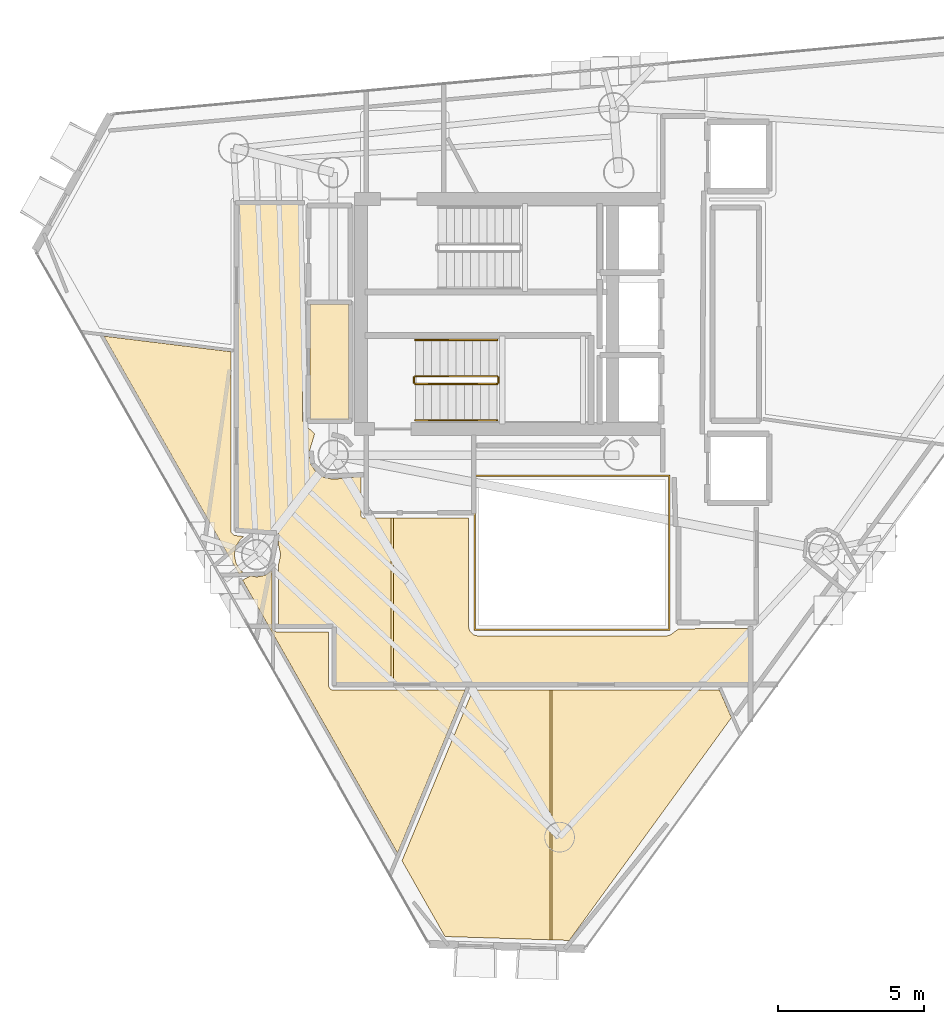
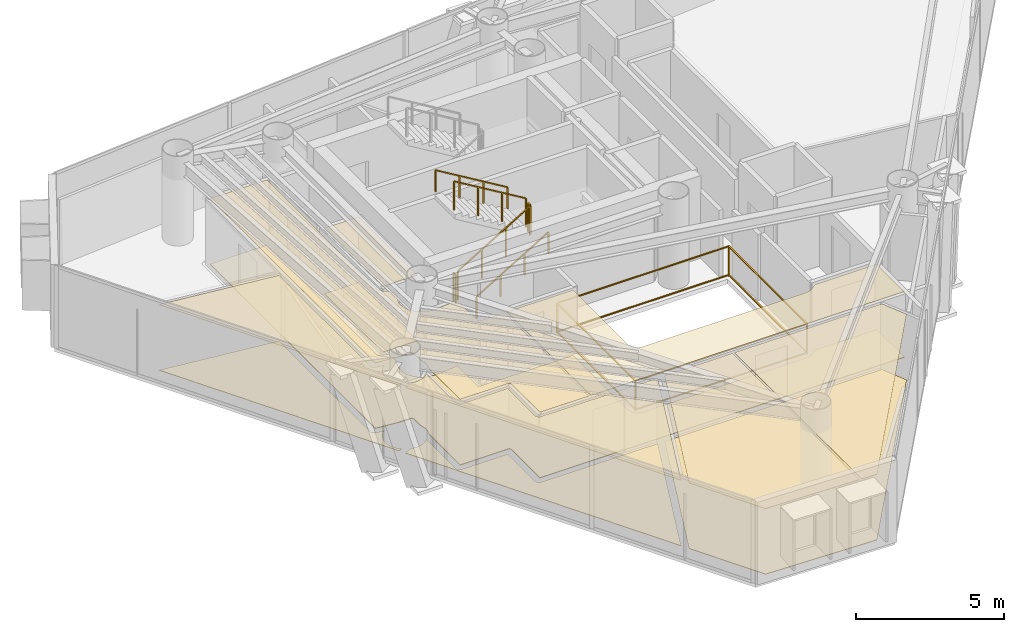
# One storey, part 20 of 21: 12 coverings, 7 railings.
"""IFC4 building model written with IfcOpenShell, lengths in metres."""

import ifcopenshell
import ifcopenshell.guid

model = None  # the IFC model being written
_history = None  # IfcOwnerHistory: only IFC2X3 demands one
_inside = {}  # id of a spatial element -> (the spatial element, [elements in it])
_under = {}  # id of a project, library or spatial element -> (it, [spatial elements below it])
_declared = {}  # id of a project -> (the project, [libraries it declares])
_typed = {}  # id of a type object -> (the type object, [elements of that type])
_made_of = {}  # id of a material, layer set ... -> (it, [elements and type objects made of it])


def new_model(schema):
    """Start an empty IFC model of exactly this schema.

    Asked for "IFC4X3", IfcOpenShell would pick the latest addendum, in which some entities
    have other attributes; the version numbers below select the first issue.
    IFC2X3 requires an IfcOwnerHistory on every rooted entity: one is made here for all.
    """
    global model, _history
    if schema == "IFC4X3":
        model = ifcopenshell.file(schema_version=(4, 3, 0, 0))
    else:
        model = ifcopenshell.file(schema=schema)
    _inside.clear()
    _under.clear()
    _declared.clear()
    _typed.clear()
    _made_of.clear()
    _history = None
    if model.schema == "IFC2X3":
        org = make("IfcOrganization", Name="unknown")
        user = make(
            "IfcPersonAndOrganization",
            ThePerson=make("IfcPerson", FamilyName="unknown"),
            TheOrganization=org,
        )
        app = make(
            "IfcApplication",
            ApplicationDeveloper=org,
            Version="unknown",
            ApplicationFullName="unknown",
            ApplicationIdentifier="unknown",
        )
        _history = make(
            "IfcOwnerHistory",
            OwningUser=user,
            OwningApplication=app,
            ChangeAction="ADDED",
            CreationDate=0,
        )
    return model


def make(cls, **values):
    """One entity of the class cls with the attributes given. An attribute that is None is left unset."""
    return model.create_entity(
        cls, **{name: value for name, value in values.items() if value is not None}
    )


def rooted(cls, **values):
    """An entity with a GlobalId (a new one), such as an element, a storey or a relation."""
    return make(cls, GlobalId=ifcopenshell.guid.new(), OwnerHistory=_history, **values)


def si_unit(unit_type, name, prefix=None):
    """IfcSIUnit, for example si_unit("LENGTHUNIT", "METRE", prefix="MILLI")."""
    return make("IfcSIUnit", UnitType=unit_type, Prefix=prefix, Name=name)


def assignment(units):
    """IfcUnitAssignment: the units of a project."""
    return None if units is None else make("IfcUnitAssignment", Units=units)


def point(xyz):
    """IfcCartesianPoint."""
    return None if xyz is None else make("IfcCartesianPoint", Coordinates=xyz)


def direction(xyz):
    """IfcDirection."""
    return None if xyz is None else make("IfcDirection", DirectionRatios=xyz)


def frame(location, z_axis=None, x_axis=None):
    """IfcAxis2Placement3D, a coordinate frame: its origin and axes. An axis left out is left unset."""
    return make(
        "IfcAxis2Placement3D",
        Location=point(location),
        Axis=direction(z_axis),
        RefDirection=direction(x_axis),
    )


def frame_2d(location, x_axis=None):
    """IfcAxis2Placement2D, a coordinate frame in the plane: its origin and x axis."""
    return make(
        "IfcAxis2Placement2D", Location=point(location), RefDirection=direction(x_axis)
    )


def origin():
    """The frame at (0, 0, 0) with its axes left unset."""
    return frame((0.0, 0.0, 0.0))


def origin_2d():
    """The frame at (0, 0) in the plane with its x axis left unset."""
    return frame_2d((0.0, 0.0))


def place(relative_to, where):
    """IfcLocalPlacement: puts the frame where relative to a parent placement (None: the world)."""
    return make(
        "IfcLocalPlacement", PlacementRelTo=relative_to, RelativePlacement=where
    )


def context(
    kind, dimensions, precision=None, world=None, true_north=None, identifier=None
):
    """IfcGeometricRepresentationContext, for example the 3D "Model" context."""
    return make(
        "IfcGeometricRepresentationContext",
        ContextIdentifier=identifier,
        ContextType=kind,
        CoordinateSpaceDimension=dimensions,
        Precision=precision,
        WorldCoordinateSystem=world,
        TrueNorth=true_north,
    )


def subcontext(parent, identifier, kind, view, scale=None):
    """IfcGeometricRepresentationSubContext, for example "Body" below "Model"."""
    return make(
        "IfcGeometricRepresentationSubContext",
        ContextIdentifier=identifier,
        ContextType=kind,
        ParentContext=parent,
        TargetScale=scale,
        TargetView=view,
    )


def project(units=None, contexts=None):
    """IfcProject with its units and contexts."""
    return rooted(
        "IfcProject",
        Name="project",
        RepresentationContexts=contexts,
        UnitsInContext=assignment(units),
    )


def spatial(cls, under=None, at=None, **own):
    """A site, building, storey or space (cls), placed at a placement, below another one or the project."""
    s = rooted(cls, ObjectPlacement=at, **own)
    if under is not None:
        _under.setdefault(under.id(), (under, []))[1].append(s)
    return s


def polyline(points):
    """IfcPolyline through the points."""
    return make("IfcPolyline", Points=[point(p) for p in points])


def profile(cls, at=None, kind="AREA", **sizes):
    """A parametric profile (cls). Its sizes go by their IFC names, for example OverallWidth=200.0."""
    return make(cls, ProfileType=kind, Position=at, **sizes)


def rectangle(**sizes):
    """IfcRectangleProfileDef."""
    return profile("IfcRectangleProfileDef", **sizes)


def outline(outer, holes=None, kind="AREA"):
    """IfcArbitraryClosedProfileDef: a profile drawn as a closed curve; with holes, ...WithVoids."""
    if holes is None:
        return make("IfcArbitraryClosedProfileDef", ProfileType=kind, OuterCurve=outer)
    return make(
        "IfcArbitraryProfileDefWithVoids",
        ProfileType=kind,
        OuterCurve=outer,
        InnerCurves=holes,
    )


def extrude(swept, where, along, depth):
    """IfcExtrudedAreaSolid: the profile swept, set in the frame where, extruded along a direction by depth."""
    return make(
        "IfcExtrudedAreaSolid",
        SweptArea=swept,
        Position=where,
        ExtrudedDirection=direction(along),
        Depth=depth,
    )


def shape(context_of_items, identifier, shape_type, items):
    """IfcShapeRepresentation: the items that make up one representation, for example the "Body"."""
    return make(
        "IfcShapeRepresentation",
        ContextOfItems=context_of_items,
        RepresentationIdentifier=identifier,
        RepresentationType=shape_type,
        Items=items,
    )


def material(Name=None, Category=None):
    """IfcMaterial."""
    return make("IfcMaterial", Name=Name, Category=Category)


def layer(
    of_material, thickness, ventilated=None, Name=None, Category=None, Priority=None
):
    """IfcMaterialLayer: one layer of a wall or slab, of a material (None: an air gap)."""
    return make(
        "IfcMaterialLayer",
        Material=of_material,
        LayerThickness=thickness,
        IsVentilated=ventilated,
        Name=Name,
        Category=Category,
        Priority=Priority,
    )


def layer_set(layers, Name=None):
    """IfcMaterialLayerSet."""
    return make("IfcMaterialLayerSet", MaterialLayers=layers, LayerSetName=Name)


def made_of(thing, what):
    """Note that an element or type object is made of a material, layer set ...; save() writes the relation."""
    if what is not None:
        _made_of.setdefault(what.id(), (what, []))[1].append(thing)
    return thing


def type_object(cls, material=None, **own):
    """A type object (cls), such as IfcWallType, which elements share."""
    return made_of(rooted(cls, **own), material)


def element(
    cls,
    number,
    at=None,
    inside=None,
    cuts=None,
    type_object=None,
    material=None,
    context=None,
    identifier="Body",
    shape_type=None,
    held_by="IfcProductDefinitionShape",
    body=None,
    shapes=None,
    **own,
):
    """One element of the class cls, such as IfcWall. Its Tag is "e" and its number.

    at: its placement. inside: the storey or other place that contains it. cuts: it is an
    opening in that element (IfcRelVoidsElement). A single representation is given by context,
    identifier, shape_type and body (its items); several are given by shapes. held_by: the class
    of the entity that holds the representations. save() writes the other relations.
    """
    e = rooted(cls, Tag="e%d" % number, ObjectPlacement=at, **own)
    if body is not None:
        shapes = [shape(context, identifier, shape_type, body)]
    if shapes is not None:
        e.Representation = make(held_by, Representations=shapes)
    if inside is not None:
        _inside.setdefault(inside.id(), (inside, []))[1].append(e)
    if cuts is not None:
        rooted(
            "IfcRelVoidsElement", RelatingBuildingElement=cuts, RelatedOpeningElement=e
        )
    if type_object is not None:
        _typed.setdefault(type_object.id(), (type_object, []))[1].append(e)
    return made_of(e, material)


def aggregate(whole, parts):
    """IfcRelAggregates: a whole, such as a stair, and the parts it consists of."""
    return rooted("IfcRelAggregates", RelatingObject=whole, RelatedObjects=parts)


def save(model, path):
    """Write the relations noted so far, then the file.

    IfcRelAggregates (storeys below a building ...), IfcRelContainedInSpatialStructure (elements
    in a storey), IfcRelDefinesByType, IfcRelAssociatesMaterial and IfcRelDeclares: one each for
    every whole, place, type object, material and project.
    """
    for whole, parts in _under.values():
        aggregate(whole, parts)
    for where, things in _inside.values():
        rooted(
            "IfcRelContainedInSpatialStructure",
            RelatedElements=things,
            RelatingStructure=where,
        )
    for kind, things in _typed.values():
        rooted("IfcRelDefinesByType", RelatedObjects=things, RelatingType=kind)
    for what, things in _made_of.values():
        rooted("IfcRelAssociatesMaterial", RelatedObjects=things, RelatingMaterial=what)
    for by, libraries in _declared.values():
        rooted("IfcRelDeclares", RelatingContext=by, RelatedDefinitions=libraries)
    model.write(path)


model = new_model("IFC4")

# Units and contexts
model_context = context("Model", 3, precision=1e-05, world=origin(), true_north=direction((0.0, 1.0)))
body_context = subcontext(model_context, "Body", "Model", "MODEL_VIEW")
ifc_project = project(units=[si_unit("LENGTHUNIT", "METRE"), si_unit("AREAUNIT", "SQUARE_METRE"), si_unit("VOLUMEUNIT", "CUBIC_METRE"), si_unit("PLANEANGLEUNIT", "RADIAN"), si_unit("MASSUNIT", "GRAM", prefix="KILO")], contexts=[model_context])

# Site, building, storey
site_placement = place(None, origin())
site = spatial("IfcSite", under=ifc_project, at=site_placement, CompositionType="ELEMENT")
building_placement = place(site_placement, origin())
building = spatial("IfcBuilding", under=site, at=building_placement, Name="Qianvela Tower", CompositionType="ELEMENT")
storey_placement = place(building_placement, frame((0.0, 0.0, 272.300048828125)))
storey = spatial("IfcBuildingStorey", under=building, at=storey_placement, Name="L70", CompositionType="ELEMENT", Elevation=272.300048828125)

# Coverings
ifc_material_1 = material(Name="Perforated Mineral Acoustic Ceiling Tile")
ifc_layer_1 = layer(ifc_material_1, 0.02490234375)
ifc_layer_set_1 = layer_set([ifc_layer_1], Name="Perforated Mineral Acoustic Ceiling Tile")
covering_type_1 = type_object("IfcCoveringType", Name="COV-CEIL-ACOUSTIC-25", PredefinedType="CEILING", material=ifc_layer_set_1)
covering_1_placement = place(storey_placement, frame((0.0, 0.0, 2.695068359375)))
element("IfcCovering", 1, at=covering_1_placement, inside=storey, type_object=covering_type_1, Name="L70 Acoustic Ceiling L70 Core Tea Pantry West", PredefinedType="CEILING", context=body_context, shape_type="SweptSolid", body=[
    extrude(outline(polyline([(27.800048828125, 25.080078125), (27.800048828125, 29.0400390625), (29.139892578125, 29.0400390625), (29.139892578125, 25.080078125), (27.800048828125, 25.080078125)])), origin(), (0.0, 0.0, 1.0), 0.02490234375),
])
covering_2_placement = place(storey_placement, frame((0.0, 0.0, 2.695068359375)))
element("IfcCovering", 2, at=covering_2_placement, inside=storey, type_object=covering_type_1, Name="L70 Acoustic Ceiling Bay 1 L70 Floor Corridor", PredefinedType="CEILING", context=body_context, shape_type="SweptSolid", body=[
    extrude(outline(polyline([(27.791015625, 24.010986328125), (27.789794921875, 24.003173828125), (27.775390625, 23.85791015625), (27.77490234375, 23.85009765625), (27.775390625, 23.84228515625), (27.776611328125, 23.83447265625), (27.833251953125, 23.54931640625), (27.835205078125, 23.541748046875), (27.837890625, 23.5341796875), (27.84130859375, 23.527099609375), (27.84521484375, 23.5205078125), (28.006591796875, 23.27880859375), (28.011474609375, 23.2724609375), (28.0166015625, 23.2666015625), (28.0224609375, 23.261474609375), (28.02880859375, 23.256591796875), (28.2705078125, 23.09521484375), (28.277099609375, 23.09130859375), (28.2841796875, 23.087890625), (28.291748046875, 23.085205078125), (28.29931640625, 23.083251953125), (28.58447265625, 23.026611328125), (28.59228515625, 23.025390625), (28.60009765625, 23.02490234375), (28.60791015625, 23.025390625), (29.55810546875, 23.118896484375), (29.55810546875, 21.780029296875), (29.558349609375, 21.772216796875), (29.5595703125, 21.764404296875), (29.561279296875, 21.7568359375), (29.564208984375, 21.74951171875), (29.5673828125, 21.7421875), (29.571533203125, 21.735595703125), (29.576171875, 21.729248046875), (29.581298828125, 21.723388671875), (29.587158203125, 21.71826171875), (29.593505859375, 21.71337890625), (29.600341796875, 21.70947265625), (29.607421875, 21.7060546875), (29.61474609375, 21.703369140625), (29.622314453125, 21.701416015625), (29.630126953125, 21.700439453125), (29.637939453125, 21.699951171875), (30.5888671875, 21.699951171875), (30.5888671875, 16.030029296875), (28.679931640625, 16.030029296875), (28.679931640625, 17.949951171875), (28.6796875, 17.957763671875), (28.678466796875, 17.965576171875), (28.676513671875, 17.97314453125), (28.673828125, 17.980712890625), (28.670654296875, 17.98779296875), (28.66650390625, 17.994384765625), (28.661865234375, 18.000732421875), (28.656494140625, 18.006591796875), (28.65087890625, 18.01171875), (28.644287109375, 18.0166015625), (28.6376953125, 18.0205078125), (28.630615234375, 18.02392578125), (28.623291015625, 18.026611328125), (28.615478515625, 18.028564453125), (28.60791015625, 18.029541015625), (28.60009765625, 18.030029296875), (26.72998046875, 18.030029296875), (26.72998046875, 20.123779296875), (26.795166015625, 20.419921875), (26.79638671875, 20.42822265625), (26.797119140625, 20.43701171875), (26.79638671875, 20.44580078125), (26.795166015625, 20.4541015625), (26.72998046875, 20.75), (26.72998046875, 21.14990234375), (26.7294921875, 21.15771484375), (26.728515625, 21.16552734375), (26.7265625, 21.173095703125), (26.723876953125, 21.1806640625), (26.720703125, 21.187744140625), (26.716552734375, 21.1943359375), (26.7119140625, 21.20068359375), (26.70654296875, 21.20654296875), (26.70068359375, 21.2119140625), (26.6943359375, 21.216552734375), (26.687744140625, 21.220703125), (26.6806640625, 21.223876953125), (26.673095703125, 21.2265625), (26.66552734375, 21.228515625), (26.65771484375, 21.2294921875), (26.64990234375, 21.22998046875), (26.18017578125, 21.22998046875), (25.330078125, 21.32470703125), (25.330078125, 32.469970703125), (27.5400390625, 32.469970703125), (27.5400390625, 25.066650390625), (27.540283203125, 25.05908203125), (27.54150390625, 25.051513671875), (27.543212890625, 25.044189453125), (27.545654296875, 25.037109375), (27.548583984375, 25.0302734375), (27.604736328125, 24.919921875), (27.6083984375, 24.91357421875), (27.612548828125, 24.90771484375), (27.6171875, 24.902099609375), (27.622314453125, 24.89697265625), (27.965087890625, 24.58642578125), (27.792724609375, 24.0185546875), (27.791015625, 24.010986328125)])), origin(), (0.0, 0.0, 1.0), 0.02490234375),
])
covering_3_placement = place(storey_placement, frame((0.0, 0.0, 2.695068359375)))
element("IfcCovering", 3, at=covering_3_placement, inside=storey, type_object=covering_type_1, Name="L70 Acoustic Ceiling Bay 2 L70 Floor Corridor", PredefinedType="CEILING", context=body_context, shape_type="SweptSolid", body=[
    extrude(outline(polyline([(33.239990234375, 21.699951171875), (33.239990234375, 18.0), (33.240478515625, 17.990234375), (33.242431640625, 17.980712890625), (33.275390625, 17.8486328125), (33.277587890625, 17.841796875), (33.2802734375, 17.8349609375), (33.283447265625, 17.82861328125), (33.287353515625, 17.822509765625), (33.29150390625, 17.81689453125), (33.29638671875, 17.811279296875), (33.411376953125, 17.696533203125), (33.41796875, 17.690673828125), (33.4248046875, 17.685791015625), (33.432373046875, 17.681396484375), (33.440185546875, 17.677978515625), (33.448486328125, 17.675537109375), (33.58056640625, 17.642333984375), (33.5869140625, 17.64111328125), (33.593505859375, 17.640380859375), (33.60009765625, 17.639892578125), (40.0, 17.639892578125), (40.006591796875, 17.640380859375), (40.012939453125, 17.64111328125), (40.019287109375, 17.642333984375), (40.1513671875, 17.675537109375), (40.15869140625, 17.677734375), (40.166015625, 17.6806640625), (40.172607421875, 17.68408203125), (40.17919921875, 17.6884765625), (40.459228515625, 17.89306640625), (42.8701171875, 17.89990234375), (42.8701171875, 16.030029296875), (30.6689453125, 16.030029296875), (30.6689453125, 21.699951171875), (33.239990234375, 21.699951171875)])), origin(), (0.0, 0.0, 1.0), 0.02490234375),
])
covering_4_placement = place(storey_placement, frame((0.0, 0.0, 2.695068359375)))
element("IfcCovering", 4, at=covering_4_placement, inside=storey, type_object=covering_type_1, Name="L70 Acoustic Ceiling Media Practice Cinema L70-01", PredefinedType="CEILING", context=body_context, shape_type="SweptSolid", body=[
    extrude(outline(polyline([(25.091552734375, 21.237548828125), (25.091796875, 21.2294921875), (25.09326171875, 21.22119140625), (25.09521484375, 21.213134765625), (25.098388671875, 21.20556640625), (25.10205078125, 21.197998046875), (25.1064453125, 21.191162109375), (25.111572265625, 21.184814453125), (25.117431640625, 21.1787109375), (25.18701171875, 21.11474609375), (25.193603515625, 21.109375), (25.200439453125, 21.104736328125), (25.2080078125, 21.100830078125), (25.2158203125, 21.09765625), (25.22412109375, 21.095458984375), (25.232421875, 21.093994140625), (25.531494140625, 21.060791015625), (25.43701171875, 20.983154296875), (25.43115234375, 20.977783203125), (25.42578125, 20.97216796875), (25.421142578125, 20.9658203125), (25.272705078125, 20.74365234375), (25.2685546875, 20.73681640625), (25.26513671875, 20.729736328125), (25.2626953125, 20.722412109375), (25.2607421875, 20.714599609375), (25.20849609375, 20.45263671875), (25.20751953125, 20.44482421875), (25.20703125, 20.43701171875), (25.20751953125, 20.42919921875), (25.20849609375, 20.42138671875), (25.2607421875, 20.1591796875), (25.2626953125, 20.151611328125), (25.26513671875, 20.144287109375), (25.2685546875, 20.13720703125), (25.272705078125, 20.13037109375), (25.421142578125, 19.908203125), (25.42529296875, 19.90234375), (25.43017578125, 19.89697265625), (25.435546875, 19.89208984375), (25.441162109375, 19.887451171875), (25.5009765625, 19.844970703125), (25.368896484375, 19.775634765625), (20.73291015625, 27.936279296875), (25.090087890625, 27.401123046875), (25.091552734375, 21.237548828125)])), origin(), (0.0, 0.0, 1.0), 0.02490234375),
])
covering_5_placement = place(storey_placement, frame((0.0, 0.0, 2.695068359375)))
element("IfcCovering", 5, at=covering_5_placement, inside=storey, type_object=covering_type_1, Name="L70 Acoustic Ceiling Student Fitness Gym L70-02", PredefinedType="CEILING", context=body_context, shape_type="SweptSolid", body=[
    extrude(outline(polyline([(26.49609375, 17.919921875), (26.496337890625, 17.912109375), (26.49755859375, 17.904052734375), (26.49951171875, 17.896484375), (26.502197265625, 17.888916015625), (26.50537109375, 17.8818359375), (26.509521484375, 17.875), (26.51416015625, 17.86865234375), (26.51953125, 17.86279296875), (26.525390625, 17.857666015625), (26.531494140625, 17.852783203125), (26.605712890625, 17.803466796875), (26.6123046875, 17.79931640625), (26.619384765625, 17.796142578125), (26.626708984375, 17.79345703125), (26.634521484375, 17.79150390625), (26.64208984375, 17.790283203125), (26.64990234375, 17.7900390625), (28.43994140625, 17.7900390625), (28.43994140625, 15.949951171875), (28.4404296875, 15.94140625), (28.44189453125, 15.932861328125), (28.444091796875, 15.924560546875), (28.447265625, 15.91650390625), (28.451416015625, 15.908935546875), (28.49365234375, 15.83837890625), (28.498291015625, 15.83154296875), (28.50341796875, 15.8251953125), (28.509521484375, 15.8193359375), (28.515869140625, 15.814208984375), (28.522705078125, 15.809814453125), (28.530029296875, 15.80615234375), (28.537841796875, 15.80322265625), (28.5458984375, 15.80126953125), (28.553955078125, 15.7998046875), (28.56201171875, 15.79931640625), (33.129638671875, 15.790283203125), (30.808837890625, 10.199462890625), (25.4892578125, 19.563232421875), (25.764892578125, 19.707763671875), (25.9580078125, 19.67333984375), (25.96533203125, 19.67236328125), (25.972900390625, 19.672119140625), (25.980224609375, 19.67236328125), (25.987548828125, 19.673583984375), (26.249755859375, 19.7255859375), (26.25732421875, 19.7275390625), (26.264892578125, 19.730224609375), (26.271728515625, 19.733642578125), (26.278564453125, 19.737548828125), (26.500732421875, 19.885986328125), (26.5068359375, 19.890625), (26.5078125, 19.891357421875), (26.49609375, 17.919921875)])), origin(), (0.0, 0.0, 1.0), 0.02490234375),
])
covering_6_placement = place(storey_placement, frame((0.0, 0.0, 2.695068359375)))
element("IfcCovering", 6, at=covering_6_placement, inside=storey, type_object=covering_type_1, Name="L70 Acoustic Ceiling Bay 1 Maker Craft Workshop L70-03", PredefinedType="CEILING", context=body_context, shape_type="SweptSolid", body=[
    extrude(outline(polyline([(33.393798828125, 15.7900390625), (36.0341796875, 15.7900390625), (36.0341796875, 7.2197265625), (32.437744140625, 7.331787109375), (30.96142578125, 9.930908203125), (33.393798828125, 15.7900390625)])), origin(), (0.0, 0.0, 1.0), 0.02490234375),
])
covering_7_placement = place(storey_placement, frame((0.0, 0.0, 2.695068359375)))
element("IfcCovering", 7, at=covering_7_placement, inside=storey, type_object=covering_type_1, Name="L70 Acoustic Ceiling Bay 2 Maker Craft Workshop L70-03", PredefinedType="CEILING", context=body_context, shape_type="SweptSolid", body=[
    extrude(outline(polyline([(41.85205078125, 15.7900390625), (42.267333984375, 14.844970703125), (36.702392578125, 7.198974609375), (36.114013671875, 7.21728515625), (36.114013671875, 15.7900390625), (41.85205078125, 15.7900390625)])), origin(), (0.0, 0.0, 1.0), 0.02490234375),
])
ifc_material_2 = material(Name="Engineered Acoustic Oak Timber Flooring", Category="wood")
ifc_layer_2 = layer(ifc_material_2, 0.02001953125)
ifc_layer_set_2 = layer_set([ifc_layer_2], Name="Engineered Acoustic Oak Timber Flooring")
covering_type_2 = type_object("IfcCoveringType", Name="COV-FLOOR-OAK-20", PredefinedType="FLOORING", material=ifc_layer_set_2)
covering_8_placement = place(storey_placement, origin())
element("IfcCovering", 8, at=covering_8_placement, inside=storey, type_object=covering_type_2, Name="L70 Finish Flooring L70 Core Tea Pantry West", PredefinedType="FLOORING", context=body_context, shape_type="SweptSolid", body=[
    extrude(outline(polyline([(27.800048828125, 25.080078125), (27.800048828125, 29.0400390625), (29.139892578125, 29.0400390625), (29.139892578125, 25.080078125), (27.800048828125, 25.080078125)])), origin(), (0.0, 0.0, 1.0), 0.02001953125),
])
covering_9_placement = place(storey_placement, origin())
element("IfcCovering", 9, at=covering_9_placement, inside=storey, type_object=covering_type_2, Name="L70 Finish Flooring Media Practice Cinema L70-01", PredefinedType="FLOORING", context=body_context, shape_type="SweptSolid", body=[
    extrude(outline(polyline([(25.091552734375, 21.237548828125), (25.091796875, 21.2294921875), (25.09326171875, 21.22119140625), (25.09521484375, 21.213134765625), (25.098388671875, 21.20556640625), (25.10205078125, 21.197998046875), (25.1064453125, 21.191162109375), (25.111572265625, 21.184814453125), (25.117431640625, 21.1787109375), (25.18701171875, 21.11474609375), (25.193603515625, 21.109375), (25.200439453125, 21.104736328125), (25.2080078125, 21.100830078125), (25.2158203125, 21.09765625), (25.22412109375, 21.095458984375), (25.232421875, 21.093994140625), (25.531494140625, 21.060791015625), (25.43701171875, 20.983154296875), (25.43115234375, 20.977783203125), (25.42578125, 20.97216796875), (25.421142578125, 20.9658203125), (25.272705078125, 20.74365234375), (25.2685546875, 20.73681640625), (25.26513671875, 20.729736328125), (25.2626953125, 20.722412109375), (25.2607421875, 20.714599609375), (25.20849609375, 20.45263671875), (25.20751953125, 20.44482421875), (25.20703125, 20.43701171875), (25.20751953125, 20.42919921875), (25.20849609375, 20.42138671875), (25.2607421875, 20.1591796875), (25.2626953125, 20.151611328125), (25.26513671875, 20.144287109375), (25.2685546875, 20.13720703125), (25.272705078125, 20.13037109375), (25.421142578125, 19.908203125), (25.42529296875, 19.90234375), (25.43017578125, 19.89697265625), (25.435546875, 19.89208984375), (25.441162109375, 19.887451171875), (25.5009765625, 19.844970703125), (25.368896484375, 19.775634765625), (20.73291015625, 27.936279296875), (25.090087890625, 27.401123046875), (25.091552734375, 21.237548828125)])), origin(), (0.0, 0.0, 1.0), 0.02001953125),
])
covering_10_placement = place(storey_placement, origin())
element("IfcCovering", 10, at=covering_10_placement, inside=storey, type_object=covering_type_2, Name="L70 Finish Flooring Student Fitness Gym L70-02", PredefinedType="FLOORING", context=body_context, shape_type="SweptSolid", body=[
    extrude(outline(polyline([(26.49609375, 17.919921875), (26.496337890625, 17.912109375), (26.49755859375, 17.904052734375), (26.49951171875, 17.896484375), (26.502197265625, 17.888916015625), (26.50537109375, 17.8818359375), (26.509521484375, 17.875), (26.51416015625, 17.86865234375), (26.51953125, 17.86279296875), (26.525390625, 17.857666015625), (26.531494140625, 17.852783203125), (26.605712890625, 17.803466796875), (26.6123046875, 17.79931640625), (26.619384765625, 17.796142578125), (26.626708984375, 17.79345703125), (26.634521484375, 17.79150390625), (26.64208984375, 17.790283203125), (26.64990234375, 17.7900390625), (28.43994140625, 17.7900390625), (28.43994140625, 15.949951171875), (28.4404296875, 15.94140625), (28.44189453125, 15.932861328125), (28.444091796875, 15.924560546875), (28.447265625, 15.91650390625), (28.451416015625, 15.908935546875), (28.49365234375, 15.83837890625), (28.498291015625, 15.83154296875), (28.50341796875, 15.8251953125), (28.509521484375, 15.8193359375), (28.515869140625, 15.814208984375), (28.522705078125, 15.809814453125), (28.530029296875, 15.80615234375), (28.537841796875, 15.80322265625), (28.5458984375, 15.80126953125), (28.553955078125, 15.7998046875), (28.56201171875, 15.79931640625), (33.129638671875, 15.790283203125), (30.808837890625, 10.199462890625), (25.4892578125, 19.563232421875), (25.764892578125, 19.707763671875), (25.9580078125, 19.67333984375), (25.96533203125, 19.67236328125), (25.972900390625, 19.672119140625), (25.980224609375, 19.67236328125), (25.987548828125, 19.673583984375), (26.249755859375, 19.7255859375), (26.25732421875, 19.7275390625), (26.264892578125, 19.730224609375), (26.271728515625, 19.733642578125), (26.278564453125, 19.737548828125), (26.500732421875, 19.885986328125), (26.5068359375, 19.890625), (26.5078125, 19.891357421875), (26.49609375, 17.919921875)])), origin(), (0.0, 0.0, 1.0), 0.02001953125),
])
covering_11_placement = place(storey_placement, origin())
element("IfcCovering", 11, at=covering_11_placement, inside=storey, type_object=covering_type_2, Name="L70 Finish Flooring Maker Craft Workshop L70-03", PredefinedType="FLOORING", context=body_context, shape_type="SweptSolid", body=[
    extrude(outline(polyline([(30.96142578125, 9.930908203125), (33.393798828125, 15.7900390625), (41.85205078125, 15.7900390625), (42.267333984375, 14.844970703125), (36.702392578125, 7.198974609375), (32.437744140625, 7.331787109375), (30.96142578125, 9.930908203125)])), origin(), (0.0, 0.0, 1.0), 0.02001953125),
])
ifc_material_3 = material(Name="Honed Stone Terrazzo Flooring", Category="masonry")
ifc_layer_3 = layer(ifc_material_3, 0.030029296875)
ifc_layer_set_3 = layer_set([ifc_layer_3], Name="Honed Stone Terrazzo Flooring")
covering_type_3 = type_object("IfcCoveringType", Name="COV-FLOOR-TERRAZZO-30", PredefinedType="FLOORING", material=ifc_layer_set_3)
covering_12_placement = place(storey_placement, origin())
element("IfcCovering", 12, at=covering_12_placement, inside=storey, type_object=covering_type_3, Name="L70 Finish Flooring L70 Floor Corridor", PredefinedType="FLOORING", context=body_context, shape_type="SweptSolid", body=[
    extrude(outline(polyline([(27.792724609375, 24.0185546875), (27.791015625, 24.010986328125), (27.789794921875, 24.003173828125), (27.775390625, 23.85791015625), (27.77490234375, 23.85009765625), (27.775390625, 23.84228515625), (27.776611328125, 23.83447265625), (27.833251953125, 23.54931640625), (27.835205078125, 23.541748046875), (27.837890625, 23.5341796875), (27.84130859375, 23.527099609375), (27.84521484375, 23.5205078125), (28.006591796875, 23.27880859375), (28.011474609375, 23.2724609375), (28.0166015625, 23.2666015625), (28.0224609375, 23.261474609375), (28.02880859375, 23.256591796875), (28.2705078125, 23.09521484375), (28.277099609375, 23.09130859375), (28.2841796875, 23.087890625), (28.291748046875, 23.085205078125), (28.29931640625, 23.083251953125), (28.58447265625, 23.026611328125), (28.59228515625, 23.025390625), (28.60009765625, 23.02490234375), (28.60791015625, 23.025390625), (29.55810546875, 23.118896484375), (29.55810546875, 21.780029296875), (29.558349609375, 21.772216796875), (29.5595703125, 21.764404296875), (29.561279296875, 21.7568359375), (29.564208984375, 21.74951171875), (29.5673828125, 21.7421875), (29.571533203125, 21.735595703125), (29.576171875, 21.729248046875), (29.581298828125, 21.723388671875), (29.587158203125, 21.71826171875), (29.593505859375, 21.71337890625), (29.600341796875, 21.70947265625), (29.607421875, 21.7060546875), (29.61474609375, 21.703369140625), (29.622314453125, 21.701416015625), (29.630126953125, 21.700439453125), (29.637939453125, 21.699951171875), (33.239990234375, 21.699951171875), (33.239990234375, 18.0), (33.240478515625, 17.990234375), (33.242431640625, 17.980712890625), (33.275390625, 17.8486328125), (33.277587890625, 17.841796875), (33.2802734375, 17.8349609375), (33.283447265625, 17.82861328125), (33.287353515625, 17.822509765625), (33.29150390625, 17.81689453125), (33.29638671875, 17.811279296875), (33.411376953125, 17.696533203125), (33.41796875, 17.690673828125), (33.4248046875, 17.685791015625), (33.432373046875, 17.681396484375), (33.440185546875, 17.677978515625), (33.448486328125, 17.675537109375), (33.58056640625, 17.642333984375), (33.5869140625, 17.64111328125), (33.593505859375, 17.640380859375), (33.60009765625, 17.639892578125), (40.0, 17.639892578125), (40.006591796875, 17.640380859375), (40.012939453125, 17.64111328125), (40.019287109375, 17.642333984375), (40.1513671875, 17.675537109375), (40.15869140625, 17.677734375), (40.166015625, 17.6806640625), (40.172607421875, 17.68408203125), (40.17919921875, 17.6884765625), (40.459228515625, 17.89306640625), (42.8701171875, 17.89990234375), (42.8701171875, 16.030029296875), (28.679931640625, 16.030029296875), (28.679931640625, 17.949951171875), (28.6796875, 17.957763671875), (28.678466796875, 17.965576171875), (28.676513671875, 17.97314453125), (28.673828125, 17.980712890625), (28.670654296875, 17.98779296875), (28.66650390625, 17.994384765625), (28.661865234375, 18.000732421875), (28.656494140625, 18.006591796875), (28.65087890625, 18.01171875), (28.644287109375, 18.0166015625), (28.6376953125, 18.0205078125), (28.630615234375, 18.02392578125), (28.623291015625, 18.026611328125), (28.615478515625, 18.028564453125), (28.60791015625, 18.029541015625), (28.60009765625, 18.030029296875), (26.72998046875, 18.030029296875), (26.72998046875, 20.123779296875), (26.795166015625, 20.419921875), (26.79638671875, 20.42822265625), (26.797119140625, 20.43701171875), (26.79638671875, 20.44580078125), (26.795166015625, 20.4541015625), (26.72998046875, 20.75), (26.72998046875, 21.14990234375), (26.7294921875, 21.15771484375), (26.728515625, 21.16552734375), (26.7265625, 21.173095703125), (26.723876953125, 21.1806640625), (26.720703125, 21.187744140625), (26.716552734375, 21.1943359375), (26.7119140625, 21.20068359375), (26.70654296875, 21.20654296875), (26.70068359375, 21.2119140625), (26.6943359375, 21.216552734375), (26.687744140625, 21.220703125), (26.6806640625, 21.223876953125), (26.673095703125, 21.2265625), (26.66552734375, 21.228515625), (26.65771484375, 21.2294921875), (26.64990234375, 21.22998046875), (26.18017578125, 21.22998046875), (25.330078125, 21.32470703125), (25.330078125, 32.469970703125), (27.5400390625, 32.469970703125), (27.5400390625, 25.066650390625), (27.540283203125, 25.05908203125), (27.54150390625, 25.051513671875), (27.543212890625, 25.044189453125), (27.545654296875, 25.037109375), (27.548583984375, 25.0302734375), (27.604736328125, 24.919921875), (27.6083984375, 24.91357421875), (27.612548828125, 24.90771484375), (27.6171875, 24.902099609375), (27.622314453125, 24.89697265625), (27.965087890625, 24.58642578125), (27.792724609375, 24.0185546875)])), origin(), (0.0, 0.0, 1.0), 0.030029296875),
])

# Railings
ifc_material_4 = material(Name="Laminated Safety Glass and Stainless Steel 316", Category="steel")
railing_type_1 = type_object("IfcRailingType", Name="RL-ATRIUM-GUARD-1250", PredefinedType="GUARDRAIL", material=ifc_material_4)
railing_1_placement = place(storey_placement, frame((33.4599609375, 17.860107421875, 0.0)))
element("IfcRailing", 13, at=railing_1_placement, inside=storey, type_object=railing_type_1, Name="L70 Atrium Edge Guardrail 1", PredefinedType="GUARDRAIL", context=body_context, shape_type="SweptSolid", body=[
    extrude(rectangle(XDim=0.050048828125, YDim=0.0400390625, at=origin_2d()), frame((0.0, 0.0, 1.22998046875), z_axis=(0.0, 1.0, 0.0), x_axis=(-1.0, 0.0, 0.0)), (0.0, 0.0, 1.0), 5.27978515625),
    extrude(rectangle(XDim=0.050048828125, YDim=0.0400390625, at=origin_2d()), frame((0.0, 0.0, 0.050048828125), z_axis=(0.0, 1.0, 0.0), x_axis=(-1.0, 0.0, 0.0)), (0.0, 0.0, 1.0), 5.27978515625),
    extrude(rectangle(XDim=0.050048828125, YDim=0.0400390625, at=origin_2d()), frame((0.0, 5.27978515625, 1.22998046875), z_axis=(1.0, 0.0, 0.0), x_axis=(0.0, 1.0, 0.0)), (0.0, 0.0, 1.0), 6.679931640625),
    extrude(rectangle(XDim=0.050048828125, YDim=0.0400390625, at=origin_2d()), frame((0.0, 5.27978515625, 0.050048828125), z_axis=(1.0, 0.0, 0.0), x_axis=(0.0, 1.0, 0.0)), (0.0, 0.0, 1.0), 6.679931640625),
    extrude(rectangle(XDim=0.050048828125, YDim=0.0400390625, at=origin_2d()), frame((6.679931640625, 5.27978515625, 1.22998046875), z_axis=(0.0, -1.0, 0.0), x_axis=(1.0, 0.0, 0.0)), (0.0, 0.0, 1.0), 5.27978515625),
    extrude(rectangle(XDim=0.050048828125, YDim=0.0400390625, at=origin_2d()), frame((6.679931640625, 5.27978515625, 0.050048828125), z_axis=(0.0, -1.0, 0.0), x_axis=(1.0, 0.0, 0.0)), (0.0, 0.0, 1.0), 5.27978515625),
    extrude(rectangle(XDim=0.050048828125, YDim=0.0400390625, at=origin_2d()), frame((6.679931640625, 0.0, 1.22998046875), z_axis=(-1.0, 0.0, 0.0), x_axis=(0.0, -1.0, 0.0)), (0.0, 0.0, 1.0), 6.679931640625),
    extrude(rectangle(XDim=0.050048828125, YDim=0.0400390625, at=origin_2d()), frame((6.679931640625, 0.0, 0.050048828125), z_axis=(-1.0, 0.0, 0.0), x_axis=(0.0, -1.0, 0.0)), (0.0, 0.0, 1.0), 6.679931640625),
    extrude(rectangle(XDim=0.050048828125, YDim=0.050048828125, at=origin_2d()), origin(), (0.0, 0.0, 1.0), 1.2099609375),
    extrude(rectangle(XDim=0.050048828125, YDim=0.050048828125, at=origin_2d()), frame((0.0, 5.27978515625, 0.0)), (0.0, 0.0, 1.0), 1.2099609375),
    extrude(rectangle(XDim=0.050048828125, YDim=0.050048828125, at=origin_2d()), frame((6.679931640625, 5.27978515625, 0.0)), (0.0, 0.0, 1.0), 1.2099609375),
    extrude(rectangle(XDim=0.050048828125, YDim=0.050048828125, at=origin_2d()), frame((6.679931640625, 0.0, 0.0)), (0.0, 0.0, 1.0), 1.2099609375),
])
ifc_material_5 = material(Name="Painted Tubular Steel Q355B", Category="steel")
railing_type_2 = type_object("IfcRailingType", Name="RL-STAIR-GUARD-1200", PredefinedType="GUARDRAIL", material=ifc_material_5)
railing_2_placement = place(storey_placement, frame((31.419921875, 26.300048828125, 0.168212890625)))
element("IfcRailing", 14, at=railing_2_placement, inside=storey, type_object=railing_type_2, Name="L70 ST-2 stair guard 1", PredefinedType="GUARDRAIL", context=body_context, shape_type="SweptSolid", body=[
    extrude(rectangle(XDim=0.050048828125, YDim=0.0400390625, at=origin_2d()), frame((0.0, 0.0, 1.179931640625), z_axis=(0.857275202839, 0.0, 0.514858452973), x_axis=(0.0, 1.0, 0.0)), (0.0, 0.0, 1.0), 3.26611328125),
    extrude(rectangle(XDim=0.050048828125, YDim=0.050048828125, at=origin_2d()), origin(), (0.0, 0.0, 1.0), 1.159912109375),
    extrude(rectangle(XDim=0.050048828125, YDim=0.050048828125, at=origin_2d()), frame((0.933349609375, 0.0, 0.560546875)), (0.0, 0.0, 1.0), 1.159912109375),
    extrude(rectangle(XDim=0.050048828125, YDim=0.050048828125, at=origin_2d()), frame((1.86669921875, 0.0, 1.12109375)), (0.0, 0.0, 1.0), 1.159912109375),
    extrude(rectangle(XDim=0.050048828125, YDim=0.050048828125, at=origin_2d()), frame((2.800048828125, 0.0, 1.681640625)), (0.0, 0.0, 1.0), 1.159912109375),
])
railing_3_placement = place(storey_placement, frame((34.27001953125, 26.35009765625, 1.849853515625)))
element("IfcRailing", 15, at=railing_3_placement, inside=storey, type_object=railing_type_2, Name="L70 ST-2 stair guard 2", PredefinedType="GUARDRAIL", context=body_context, shape_type="SweptSolid", body=[
    extrude(rectangle(XDim=0.050048828125, YDim=0.0400390625, at=origin_2d()), frame((0.0, 0.0, 1.179931640625), z_axis=(0.0, 1.0, 0.0), x_axis=(-1.0, 0.0, 0.0)), (0.0, 0.0, 1.0), 0.159912109375),
    extrude(rectangle(XDim=0.050048828125, YDim=0.050048828125, at=origin_2d()), origin(), (0.0, 0.0, 1.0), 1.159912109375),
    extrude(rectangle(XDim=0.050048828125, YDim=0.050048828125, at=origin_2d()), frame((0.0, 0.159912109375, 0.0)), (0.0, 0.0, 1.0), 1.159912109375),
])
railing_4_placement = place(storey_placement, frame((34.219970703125, 26.56005859375, 2.01806640625)))
element("IfcRailing", 16, at=railing_4_placement, inside=storey, type_object=railing_type_2, Name="L70 ST-2 stair guard 3", PredefinedType="GUARDRAIL", context=body_context, shape_type="SweptSolid", body=[
    extrude(rectangle(XDim=0.050048828125, YDim=0.0400390625, at=origin_2d()), frame((0.0, 0.0, 1.179931640625), z_axis=(-0.857242210791, 0.0, 0.514913383045), x_axis=(0.0, -1.0, 0.0)), (0.0, 0.0, 1.0), 3.266357421875),
    extrude(rectangle(XDim=0.050048828125, YDim=0.050048828125, at=origin_2d()), origin(), (0.0, 0.0, 1.0), 1.159912109375),
    extrude(rectangle(XDim=0.050048828125, YDim=0.050048828125, at=origin_2d()), frame((-0.933349609375, 0.0, 0.560546875)), (0.0, 0.0, 1.0), 1.159912109375),
    extrude(rectangle(XDim=0.050048828125, YDim=0.050048828125, at=origin_2d()), frame((-1.86669921875, 0.0, 1.121337890625)), (0.0, 0.0, 1.0), 1.159912109375),
    extrude(rectangle(XDim=0.050048828125, YDim=0.050048828125, at=origin_2d()), frame((-2.800048828125, 0.0, 1.681884765625)), (0.0, 0.0, 1.0), 1.159912109375),
])
railing_5_placement = place(storey_placement, frame((31.3701171875, 26.35009765625, 0.0)))
element("IfcRailing", 17, at=railing_5_placement, inside=storey, type_object=railing_type_2, Name="L70 ST-2 stair guard 4", PredefinedType="GUARDRAIL", context=body_context, shape_type="SweptSolid", body=[
    extrude(rectangle(XDim=0.050048828125, YDim=0.0400390625, at=origin_2d()), frame((0.0, 0.0, 1.179931640625), z_axis=(0.0, 1.0, 0.0), x_axis=(-1.0, 0.0, 0.0)), (0.0, 0.0, 1.0), 0.159912109375),
    extrude(rectangle(XDim=0.050048828125, YDim=0.050048828125, at=origin_2d()), origin(), (0.0, 0.0, 1.0), 1.159912109375),
    extrude(rectangle(XDim=0.050048828125, YDim=0.050048828125, at=origin_2d()), frame((0.0, 0.159912109375, 0.0)), (0.0, 0.0, 1.0), 1.159912109375),
])
ifc_material_6 = material(Name="Brushed Stainless Steel 304", Category="steel")
railing_type_3 = type_object("IfcRailingType", Name="RL-STAIR-HANDRAIL-900", PredefinedType="HANDRAIL", material=ifc_material_6)
railing_6_placement = place(storey_placement, frame((31.419921875, 25.050048828125, 0.168212890625)))
element("IfcRailing", 18, at=railing_6_placement, inside=storey, type_object=railing_type_3, Name="L70 ST-2 stair handrail 1", PredefinedType="HANDRAIL", context=body_context, shape_type="SweptSolid", body=[
    extrude(rectangle(XDim=0.050048828125, YDim=0.0400390625, at=origin_2d()), frame((0.0, 0.0, 0.8798828125), z_axis=(0.857275202839, 0.0, 0.514858452973), x_axis=(0.0, 1.0, 0.0)), (0.0, 0.0, 1.0), 3.26611328125),
    extrude(rectangle(XDim=0.050048828125, YDim=0.050048828125, at=origin_2d()), origin(), (0.0, 0.0, 1.0), 0.85986328125),
    extrude(rectangle(XDim=0.050048828125, YDim=0.050048828125, at=origin_2d()), frame((0.933349609375, 0.0, 0.560546875)), (0.0, 0.0, 1.0), 0.85986328125),
    extrude(rectangle(XDim=0.050048828125, YDim=0.050048828125, at=origin_2d()), frame((1.86669921875, 0.0, 1.12109375)), (0.0, 0.0, 1.0), 0.85986328125),
    extrude(rectangle(XDim=0.050048828125, YDim=0.050048828125, at=origin_2d()), frame((2.800048828125, 0.0, 1.681640625)), (0.0, 0.0, 1.0), 0.85986328125),
])
railing_7_placement = place(storey_placement, frame((34.219970703125, 27.81005859375, 2.01806640625)))
element("IfcRailing", 19, at=railing_7_placement, inside=storey, type_object=railing_type_3, Name="L70 ST-2 stair handrail 2", PredefinedType="HANDRAIL", context=body_context, shape_type="SweptSolid", body=[
    extrude(rectangle(XDim=0.050048828125, YDim=0.0400390625, at=origin_2d()), frame((0.0, 0.0, 0.8798828125), z_axis=(-0.857242210791, 0.0, 0.514913383045), x_axis=(0.0, -1.0, 0.0)), (0.0, 0.0, 1.0), 3.266357421875),
    extrude(rectangle(XDim=0.050048828125, YDim=0.050048828125, at=origin_2d()), origin(), (0.0, 0.0, 1.0), 0.85986328125),
    extrude(rectangle(XDim=0.050048828125, YDim=0.050048828125, at=origin_2d()), frame((-0.933349609375, 0.0, 0.560546875)), (0.0, 0.0, 1.0), 0.85986328125),
    extrude(rectangle(XDim=0.050048828125, YDim=0.050048828125, at=origin_2d()), frame((-1.86669921875, 0.0, 1.121337890625)), (0.0, 0.0, 1.0), 0.85986328125),
    extrude(rectangle(XDim=0.050048828125, YDim=0.050048828125, at=origin_2d()), frame((-2.800048828125, 0.0, 1.681884765625)), (0.0, 0.0, 1.0), 0.85986328125),
])

save(model, "model.ifc")
